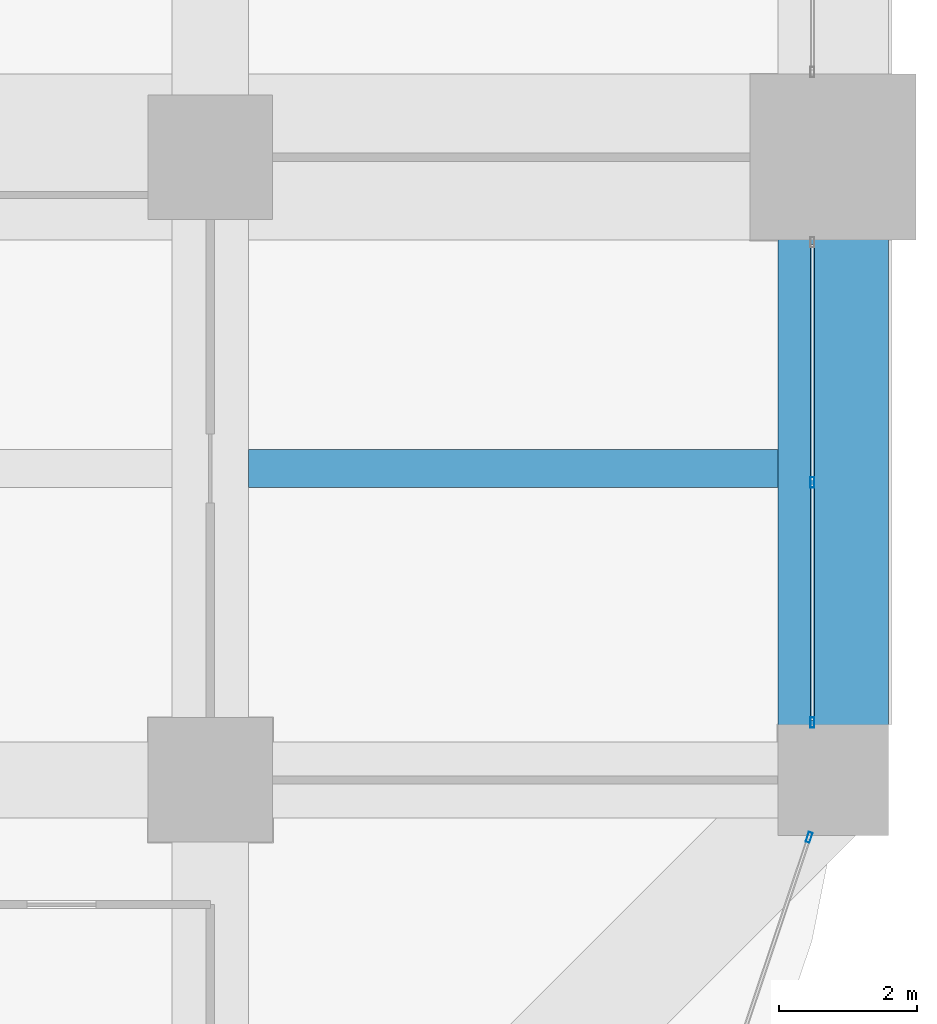
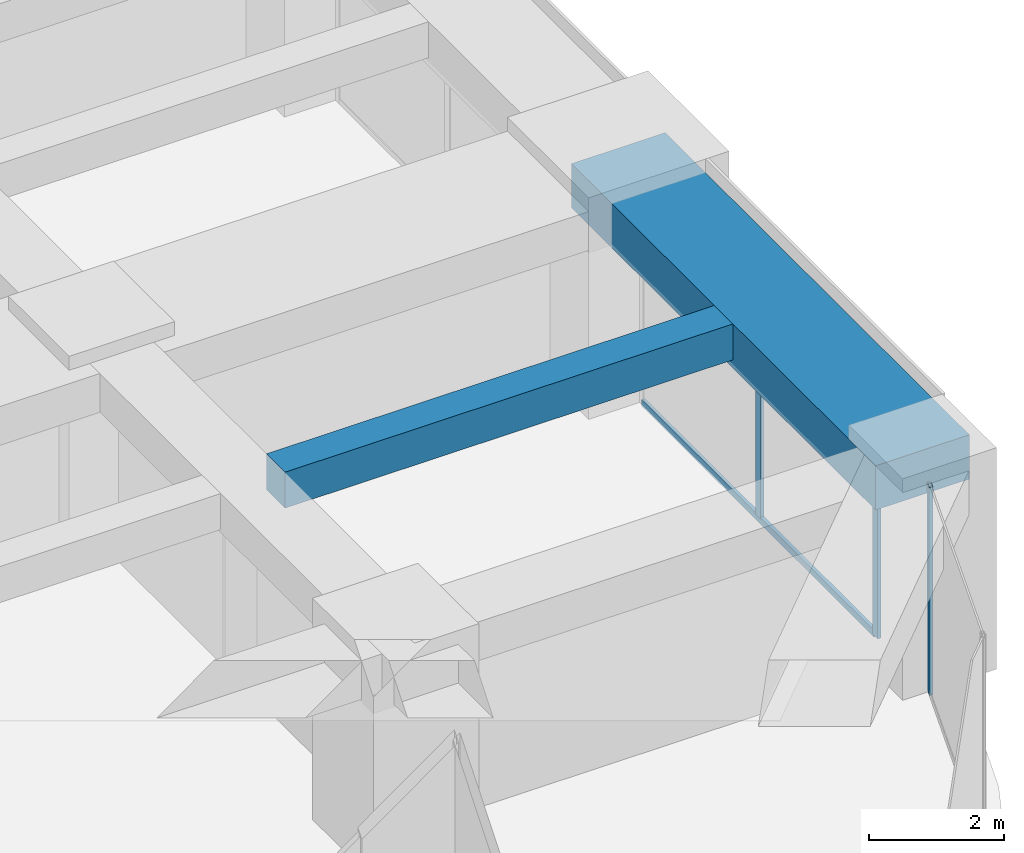
# One storey, part 19 of 43: 4 members, 2 beams, 2 elements without a shape of their own.
"""IFC4 building model written with IfcOpenShell, lengths in metres."""

from ifc_helpers import new_model, si_unit, direction, frame, origin, origin_2d, place, context, subcontext, project, spatial, rectangle, hollow_rectangle, extrude, material, material_profile, profile_set, type_object, element, aggregate, save


model = new_model("IFC4")

# Units and contexts
model_context = context("Model", 3, precision=1e-05, world=origin(), true_north=direction((0.0, 1.0)))
body_context = subcontext(model_context, "Body", "Model", "MODEL_VIEW")
ifc_project = project(units=[si_unit("LENGTHUNIT", "METRE"), si_unit("AREAUNIT", "SQUARE_METRE"), si_unit("VOLUMEUNIT", "CUBIC_METRE"), si_unit("PLANEANGLEUNIT", "RADIAN"), si_unit("MASSUNIT", "GRAM", prefix="KILO")], contexts=[model_context])

# Site, building, storey
site_placement = place(None, origin())
site = spatial("IfcSite", under=ifc_project, at=site_placement, CompositionType="ELEMENT")
building_placement = place(site_placement, origin())
building = spatial("IfcBuilding", under=site, at=building_placement, Name="Zorevar Civic Tower", CompositionType="ELEMENT")
storey_placement = place(building_placement, frame((0.0, 0.0, 145.0)))
storey = spatial("IfcBuildingStorey", under=building, at=storey_placement, Name="L35", CompositionType="ELEMENT", Elevation=145.0)

# Beam
ifc_material_1 = material(Name="Concrete C50/60", Category="concrete")
ifc_material_profile_1 = material_profile(ifc_material_1, rectangle(XDim=0.550048828125, YDim=0.64990234375, at=origin_2d()), Name="RC 550x650")
ifc_profile_set_1 = profile_set([ifc_material_profile_1], Name="Concrete C50/60")
beam_type_1 = type_object("IfcBeamType", Name="Beam RC 550x650", PredefinedType="BEAM", material=ifc_profile_set_1)
beam_1_placement = place(storey_placement, frame((54.550048828125, 13.5, 3.425048828125), z_axis=(1.0, 0.0, 0.0), x_axis=(0.0, 1.0, 0.0)))
element("IfcBeam", 1, at=beam_1_placement, inside=storey, type_object=beam_type_1, Name="Secondary beam L36", PredefinedType="BEAM", context=body_context, shape_type="SweptSolid", body=[
    extrude(rectangle(XDim=0.550048828125, YDim=0.64990234375, at=origin_2d()), origin(), (0.0, 0.0, 1.0), 7.64990234375),
])

# Curtain wall, members
ifc_material_2 = material(Name="Dark grey solar-control glass in black aluminium frame", Category="aluminium")
curtain_wall_type = type_object("IfcCurtainWallType", Name="Curtain wall CW3 mid zone", PredefinedType="NOTDEFINED", material=ifc_material_2)
curtain_wall_1_placement = place(storey_placement, origin())
curtain_wall_1 = element("IfcCurtainWall", 2, at=curtain_wall_1_placement, inside=storey, type_object=curtain_wall_type, Name="CW3 L35", PredefinedType="NOTDEFINED")
ifc_material_3 = material(Name="Aluminium, black anodised", Category="aluminium")
ifc_material_profile_2 = material_profile(ifc_material_3, hollow_rectangle(XDim=0.06005859375, YDim=0.14990234375, WallThickness=0.00390625, at=origin_2d()), Name="AL 150x60x4")
ifc_profile_set_2 = profile_set([ifc_material_profile_2], Name="Aluminium, black anodised")
member_type_1 = type_object("IfcMemberType", Name="CW3 mullion AL 150x60x4", PredefinedType="MULLION", material=ifc_profile_set_2)
member_1_placement = place(storey_placement, frame((62.699951171875, 9.830078125, 0.0), z_axis=(0.0, 0.0, 1.0), x_axis=(-1.0, 0.0, 0.0)))
member_1 = element("IfcMember", 3, at=member_1_placement, type_object=member_type_1, Name="CW3 mullion 1", PredefinedType="MULLION", context=body_context, shape_type="SweptSolid", body=[
    extrude(hollow_rectangle(XDim=0.06005859375, YDim=0.14990234375, WallThickness=0.00390625, at=origin_2d()), origin(), (0.0, 0.0, 1.0), 2.949951171875),
])
member_2_placement = place(storey_placement, frame((62.699951171875, 13.300048828125, 0.06005859375), z_axis=(0.0, 0.0, 1.0), x_axis=(-1.0, 0.0, 0.0)))
member_2 = element("IfcMember", 4, at=member_2_placement, type_object=member_type_1, Name="CW3 mullion 2", PredefinedType="MULLION", context=body_context, shape_type="SweptSolid", body=[
    extrude(hollow_rectangle(XDim=0.06005859375, YDim=0.14990234375, WallThickness=0.00390625, at=origin_2d()), origin(), (0.0, 0.0, 1.0), 2.889892578125),
])

# Curtain wall, member
curtain_wall_2_placement = place(storey_placement, origin())
curtain_wall_2 = element("IfcCurtainWall", 5, at=curtain_wall_2_placement, inside=storey, type_object=curtain_wall_type, Name="CW3 L35", PredefinedType="NOTDEFINED")
member_3_placement = place(storey_placement, frame((62.653564453125, 8.171630859375, 0.0), z_axis=(0.0, 0.0, 1.0), x_axis=(-0.948227238701, 0.317592669603, 0.0)))
member_3 = element("IfcMember", 6, at=member_3_placement, type_object=member_type_1, Name="CW3 mullion 2", PredefinedType="MULLION", context=body_context, shape_type="SweptSolid", body=[
    extrude(hollow_rectangle(XDim=0.06005859375, YDim=0.14990234375, WallThickness=0.00390625, at=origin_2d()), origin(), (0.0, 0.0, 1.0), 3.75),
])
aggregate(curtain_wall_2, [member_3])

# Member
ifc_material_4 = material(Name="Aluminium, black anodised", Category="aluminium")
ifc_material_profile_3 = material_profile(ifc_material_4, hollow_rectangle(XDim=0.06005859375, YDim=0.1201171875, WallThickness=0.0029296875, at=origin_2d()), Name="AL 120x60x3")
ifc_profile_set_3 = profile_set([ifc_material_profile_3], Name="Aluminium, black anodised")
member_type_2 = type_object("IfcMemberType", Name="CW3 transom AL 120x60x3", PredefinedType="USERDEFINED", material=ifc_profile_set_3)
member_4_placement = place(storey_placement, frame((62.699951171875, 9.860107421875, 0.030029296875), z_axis=(0.0, 1.0, 0.0), x_axis=(-1.0, 0.0, 0.0)))
member_4 = element("IfcMember", 7, at=member_4_placement, type_object=member_type_2, Name="CW3 sill transom", ObjectType="TRANSOM", PredefinedType="USERDEFINED", context=body_context, shape_type="SweptSolid", body=[
    extrude(hollow_rectangle(XDim=0.06005859375, YDim=0.1201171875, WallThickness=0.0029296875, at=origin_2d()), origin(), (0.0, 0.0, 1.0), 6.8798828125),
])

aggregate(curtain_wall_1, [member_1, member_2, member_4])

# Beam
ifc_material_5 = material(Name="Concrete C50/60", Category="concrete")
ifc_material_profile_4 = material_profile(ifc_material_5, rectangle(XDim=1.60009765625, YDim=0.800048828125, at=origin_2d()), Name="RC 1600x800")
ifc_profile_set_4 = profile_set([ifc_material_profile_4], Name="Concrete C50/60")
beam_type_2 = type_object("IfcBeamType", Name="Edge beam RC 1600x800", PredefinedType="SPANDREL", material=ifc_profile_set_4)
beam_2_placement = place(storey_placement, frame((63.0, 9.0, 3.35009765625), z_axis=(0.0, 1.0, 0.0), x_axis=(-1.0, 0.0, 0.0)))
element("IfcBeam", 8, at=beam_2_placement, inside=storey, type_object=beam_type_2, Name="Edge beam L36", PredefinedType="SPANDREL", context=body_context, shape_type="SweptSolid", body=[
    extrude(rectangle(XDim=1.60009765625, YDim=0.800048828125, at=origin_2d()), origin(), (0.0, 0.0, 1.0), 9.0),
])

save(model, "model.ifc")
